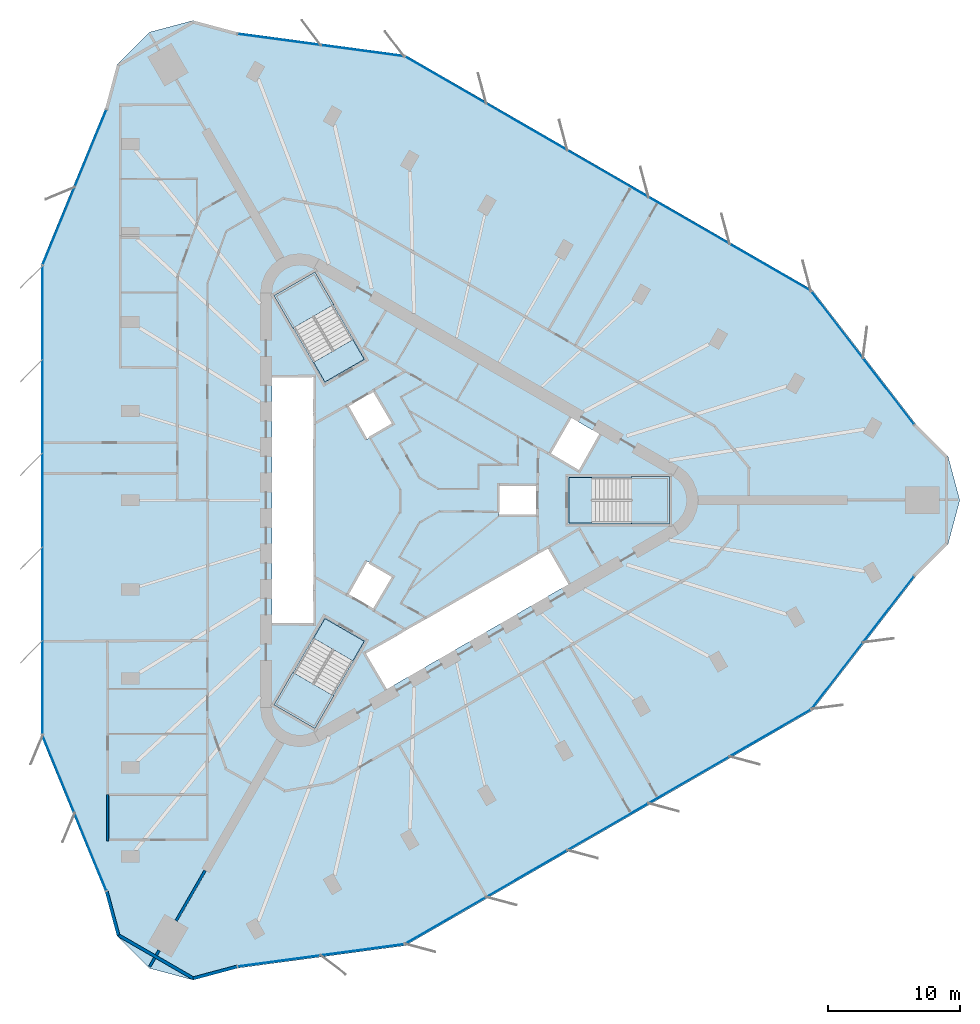
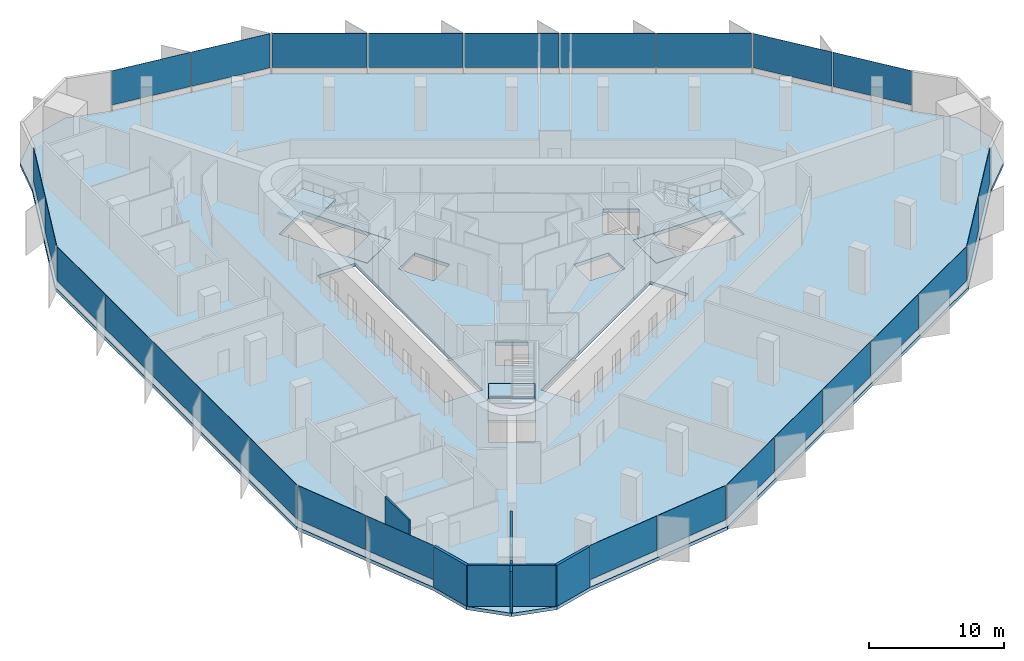
# One storey, part 7 of 14: 27 plates, 7 slabs, 7 walls, 12 elements without a shape of their own.
"""IFC4 building model written with IfcOpenShell, lengths in metres."""

from ifc_helpers import new_model, si_unit, direction, frame, frame_2d, origin, origin_2d, place, context, subcontext, project, spatial, polyline, rectangle, outline, extrude, material, layer, layer_set, type_object, element, aggregate, save


model = new_model("IFC4")

# Units and contexts
model_context = context("Model", 3, precision=1e-05, world=origin(), true_north=direction((0.0, 1.0)))
body_context = subcontext(model_context, "Body", "Model", "MODEL_VIEW")
ifc_project = project(units=[si_unit("LENGTHUNIT", "METRE"), si_unit("AREAUNIT", "SQUARE_METRE"), si_unit("VOLUMEUNIT", "CUBIC_METRE"), si_unit("PLANEANGLEUNIT", "RADIAN"), si_unit("MASSUNIT", "GRAM", prefix="KILO")], contexts=[model_context])

# Site, building, storey
site_placement = place(None, origin())
site = spatial("IfcSite", under=ifc_project, at=site_placement, CompositionType="ELEMENT")
building_placement = place(site_placement, origin())
building = spatial("IfcBuilding", under=site, at=building_placement, Name="Tanit Gate Tower", CompositionType="ELEMENT")
storey_placement = place(building_placement, frame((0.0, 0.0, 233.199951171875)))
storey = spatial("IfcBuildingStorey", under=building, at=storey_placement, Name="L52", CompositionType="ELEMENT", Elevation=233.199951171875)

# Slab
ifc_material_1 = material(Name="Concrete C35/45", Category="concrete")
ifc_layer_1 = layer(ifc_material_1, 0.300048828125)
ifc_layer_set_1 = layer_set([ifc_layer_1], Name="FLOOR SLAB 300 C35/45")
slab_type_1 = type_object("IfcSlabType", Name="FLOOR SLAB 300 C35/45", PredefinedType="FLOOR", material=ifc_layer_set_1)
slab_1_placement = place(storey_placement, frame((0.0, 0.0, -0.300048828125)))
element("IfcSlab", 1, at=slab_1_placement, inside=storey, type_object=slab_type_1, Name="FLOOR SLAB L52", PredefinedType="FLOOR", context=body_context, shape_type="SweptSolid", body=[
    extrude(outline(polyline([(37.72509765625, 5.792724609375), (40.173583984375, 3.344482421875), (41.069580078125, 0.0), (40.173583984375, -3.344482421875), (37.72509765625, -5.792724609375), (29.8583984375, -15.986572265625), (-1.083251953125, -33.853515625), (-13.845947265625, -35.5673828125), (-17.1904296875, -36.46337890625), (-20.534912109375, -35.5673828125), (-22.983154296875, -33.119140625), (-23.879150390625, -29.774658203125), (-28.77392578125, -17.86474609375), (-28.7763671875, 17.86474609375), (-23.879150390625, 29.774658203125), (-22.983154296875, 33.119140625), (-20.534912109375, 35.5673828125), (-17.1904296875, 36.46337890625), (-13.845947265625, 35.5673828125), (-1.08447265625, 33.851318359375), (29.859619140625, 15.988525390625), (37.72509765625, 5.792724609375)]), holes=[polyline([(11.3701171875, 1.72998046875), (18.929931640625, 1.72998046875), (18.929931640625, -1.72998046875), (11.3701171875, -1.72998046875), (11.3701171875, 1.72998046875)]), polyline([(9.82080078125, 3.510009765625), (11.44580078125, 6.324462890625), (13.783935546875, 4.974609375), (12.158935546875, 2.159912109375), (9.82080078125, 3.510009765625)]), polyline([(-4.208984375, -11.60986328125), (9.82080078125, -3.510009765625), (11.44580078125, -6.324462890625), (-2.583984375, -14.424560546875), (-4.208984375, -11.60986328125)]), polyline([(6.0, 1.199951171875), (9.0, 1.199951171875), (9.0, -1.199951171875), (6.0, -1.199951171875), (6.0, 1.199951171875)]), polyline([(-5.539306640625, 7.194091796875), (-3.460693359375, 8.394287109375), (-1.960693359375, 5.796142578125), (-4.039306640625, 4.59619140625), (-5.539306640625, 7.194091796875)]), polyline([(-1.960693359375, -5.796142578125), (-3.460693359375, -8.394287109375), (-5.539306640625, -7.194091796875), (-4.039306640625, -4.59619140625), (-1.960693359375, -5.796142578125)]), polyline([(-10.963134765625, 15.52880859375), (-7.966796875, 17.2587890625), (-4.186767578125, 10.711669921875), (-7.18310546875, 8.981689453125), (-10.963134765625, 15.52880859375)]), polyline([(-4.186767578125, -10.711669921875), (-7.966796875, -17.2587890625), (-10.963134765625, -15.52880859375), (-7.18310546875, -8.981689453125), (-4.186767578125, -10.711669921875)]), polyline([(-11.199951171875, -9.449951171875), (-11.199951171875, 9.449951171875), (-7.949951171875, 9.449951171875), (-7.949951171875, -9.449951171875), (-11.199951171875, -9.449951171875)])]), origin(), (0.0, 0.0, 1.0), 0.300048828125),
])

# Curtain wall, plates
ifc_material_2 = material(Name="Aluminium bronze anodised and glass", Category="aluminium")
curtain_wall_type = type_object("IfcCurtainWallType", Name="Curtain wall typical mid", PredefinedType="NOTDEFINED", material=ifc_material_2)
curtain_wall_1_placement = place(storey_placement, origin())
curtain_wall_1 = element("IfcCurtainWall", 2, at=curtain_wall_1_placement, inside=storey, type_object=curtain_wall_type, Name="Curtain wall L52 NE1", PredefinedType="NOTDEFINED")
ifc_material_3 = material(Name="Glass tinted", Category="glass")
ifc_layer_2 = layer(ifc_material_3, 0.030029296875)
ifc_layer_set_2 = layer_set([ifc_layer_2], Name="Glass panel 30 typical mid")
plate_type = type_object("IfcPlateType", Name="Glass panel 30 typical mid", PredefinedType="CURTAIN_PANEL", material=ifc_layer_set_2)
plate_1_placement = place(storey_placement, frame((35.65869140625, 8.27490234375, 0.60009765625), z_axis=(0.0, 0.0, 1.0), x_axis=(-0.610813286526, 0.791774670599, 0.0)))
plate_1 = element("IfcPlate", 3, at=plate_1_placement, type_object=plate_type, Name="Glass panel L52 NE1.1", PredefinedType="CURTAIN_PANEL", context=body_context, shape_type="SweptSolid", body=[
    extrude(rectangle(XDim=6.310791015625, YDim=0.030029296875, at=origin_2d()), origin(), (0.0, 0.0, 1.0), 3.10009765625),
])
plate_2_placement = place(storey_placement, frame((31.755126953125, 13.3349609375, 0.60009765625), z_axis=(0.0, 0.0, 1.0), x_axis=(-0.610813286526, 0.791774670599, 0.0)))
plate_2 = element("IfcPlate", 4, at=plate_2_placement, type_object=plate_type, Name="Glass panel L52 NE1.2", PredefinedType="CURTAIN_PANEL", context=body_context, shape_type="SweptSolid", body=[
    extrude(rectangle(XDim=6.310791015625, YDim=0.030029296875, at=origin_2d()), origin(), (0.0, 0.0, 1.0), 3.10009765625),
])
aggregate(curtain_wall_1, [plate_1, plate_2])

curtain_wall_2_placement = place(storey_placement, origin())
curtain_wall_2 = element("IfcCurtainWall", 5, at=curtain_wall_2_placement, inside=storey, type_object=curtain_wall_type, Name="Curtain wall L52 NE2", PredefinedType="NOTDEFINED")
plate_3_placement = place(storey_placement, frame((26.6611328125, 17.696533203125, 0.60009765625), z_axis=(0.0, 0.0, 1.0), x_axis=(-0.866060071089, 0.49993994966, 0.0)))
plate_3 = element("IfcPlate", 6, at=plate_3_placement, type_object=plate_type, Name="Glass panel L52 NE2.1", PredefinedType="CURTAIN_PANEL", context=body_context, shape_type="SweptSolid", body=[
    extrude(rectangle(XDim=7.040283203125, YDim=0.030029296875, at=origin_2d()), origin(), (0.0, 0.0, 1.0), 3.10009765625),
])
plate_4_placement = place(storey_placement, frame((20.494384765625, 21.25634765625, 0.60009765625), z_axis=(0.0, 0.0, 1.0), x_axis=(-0.866060071089, 0.49993994966, 0.0)))
plate_4 = element("IfcPlate", 7, at=plate_4_placement, type_object=plate_type, Name="Glass panel L52 NE2.2", PredefinedType="CURTAIN_PANEL", context=body_context, shape_type="SweptSolid", body=[
    extrude(rectangle(XDim=7.04052734375, YDim=0.030029296875, at=origin_2d()), origin(), (0.0, 0.0, 1.0), 3.10009765625),
])
plate_5_placement = place(storey_placement, frame((14.32763671875, 24.816162109375, 0.60009765625), z_axis=(0.0, 0.0, 1.0), x_axis=(-0.866060071089, 0.49993994966, 0.0)))
plate_5 = element("IfcPlate", 8, at=plate_5_placement, type_object=plate_type, Name="Glass panel L52 NE2.3", PredefinedType="CURTAIN_PANEL", context=body_context, shape_type="SweptSolid", body=[
    extrude(rectangle(XDim=7.040283203125, YDim=0.030029296875, at=origin_2d()), origin(), (0.0, 0.0, 1.0), 3.10009765625),
])
plate_6_placement = place(storey_placement, frame((8.160888671875, 28.375732421875, 0.60009765625), z_axis=(0.0, 0.0, 1.0), x_axis=(-0.866060071089, 0.49993994966, 0.0)))
plate_6 = element("IfcPlate", 9, at=plate_6_placement, type_object=plate_type, Name="Glass panel L52 NE2.4", PredefinedType="CURTAIN_PANEL", context=body_context, shape_type="SweptSolid", body=[
    extrude(rectangle(XDim=7.04052734375, YDim=0.030029296875, at=origin_2d()), origin(), (0.0, 0.0, 1.0), 3.10009765625),
])
plate_7_placement = place(storey_placement, frame((1.994140625, 31.935546875, 0.60009765625), z_axis=(0.0, 0.0, 1.0), x_axis=(-0.866060071089, 0.49993994966, 0.0)))
plate_7 = element("IfcPlate", 10, at=plate_7_placement, type_object=plate_type, Name="Glass panel L52 NE2.5", PredefinedType="CURTAIN_PANEL", context=body_context, shape_type="SweptSolid", body=[
    extrude(rectangle(XDim=7.040283203125, YDim=0.030029296875, at=origin_2d()), origin(), (0.0, 0.0, 1.0), 3.10009765625),
])
aggregate(curtain_wall_2, [plate_3, plate_4, plate_5, plate_6, plate_7])

curtain_wall_3_placement = place(storey_placement, origin())
curtain_wall_3 = element("IfcCurtainWall", 11, at=curtain_wall_3_placement, inside=storey, type_object=curtain_wall_type, Name="Curtain wall L52 NE3", PredefinedType="NOTDEFINED")
plate_8_placement = place(storey_placement, frame((-4.330078125, 34.166748046875, 0.60009765625), z_axis=(0.0, 0.0, 1.0), x_axis=(-0.991079923129, 0.133268848466, 0.0)))
plate_8 = element("IfcPlate", 12, at=plate_8_placement, type_object=plate_type, Name="Glass panel L52 NE3.1", PredefinedType="CURTAIN_PANEL", context=body_context, shape_type="SweptSolid", body=[
    extrude(rectangle(XDim=6.310302734375, YDim=0.030029296875, at=origin_2d()), origin(), (0.0, 0.0, 1.0), 3.10009765625),
])
plate_9_placement = place(storey_placement, frame((-10.663330078125, 35.018310546875, 0.60009765625), z_axis=(0.0, 0.0, 1.0), x_axis=(-0.991079923129, 0.133268848466, 0.0)))
plate_9 = element("IfcPlate", 13, at=plate_9_placement, type_object=plate_type, Name="Glass panel L52 NE3.2", PredefinedType="CURTAIN_PANEL", context=body_context, shape_type="SweptSolid", body=[
    extrude(rectangle(XDim=6.310302734375, YDim=0.030029296875, at=origin_2d()), origin(), (0.0, 0.0, 1.0), 3.10009765625),
])
aggregate(curtain_wall_3, [plate_8, plate_9])

curtain_wall_4_placement = place(storey_placement, origin())
curtain_wall_4 = element("IfcCurtainWall", 14, at=curtain_wall_4_placement, inside=storey, type_object=curtain_wall_type, Name="Curtain wall L52 W1", PredefinedType="NOTDEFINED")
plate_10_placement = place(storey_placement, frame((-24.99560546875, 26.743896484375, 0.60009765625), z_axis=(0.0, 0.0, 1.0), x_axis=(-0.380290335549, -0.924867158401, 0.0)))
plate_10 = element("IfcPlate", 15, at=plate_10_placement, type_object=plate_type, Name="Glass panel L52 W1.1", PredefinedType="CURTAIN_PANEL", context=body_context, shape_type="SweptSolid", body=[
    extrude(rectangle(XDim=6.310791015625, YDim=0.030029296875, at=origin_2d()), origin(), (0.0, 0.0, 1.0), 3.10009765625),
])
plate_11_placement = place(storey_placement, frame((-27.426025390625, 20.833251953125, 0.60009765625), z_axis=(0.0, 0.0, 1.0), x_axis=(-0.380290335549, -0.924867158401, 0.0)))
plate_11 = element("IfcPlate", 16, at=plate_11_placement, type_object=plate_type, Name="Glass panel L52 W1.2", PredefinedType="CURTAIN_PANEL", context=body_context, shape_type="SweptSolid", body=[
    extrude(rectangle(XDim=6.310791015625, YDim=0.030029296875, at=origin_2d()), origin(), (0.0, 0.0, 1.0), 3.10009765625),
])
aggregate(curtain_wall_4, [plate_10, plate_11])

curtain_wall_5_placement = place(storey_placement, origin())
curtain_wall_5 = element("IfcCurtainWall", 17, at=curtain_wall_5_placement, inside=storey, type_object=curtain_wall_type, Name="Curtain wall L52 W2", PredefinedType="NOTDEFINED")
plate_12_placement = place(storey_placement, frame((-28.656005859375, 14.240966796875, 0.60009765625), z_axis=(0.0, 0.0, 1.0), x_axis=(6.9338772e-05, -0.999999997596, 0.0)))
plate_12 = element("IfcPlate", 18, at=plate_12_placement, type_object=plate_type, Name="Glass panel L52 W2.1", PredefinedType="CURTAIN_PANEL", context=body_context, shape_type="SweptSolid", body=[
    extrude(rectangle(XDim=7.040283203125, YDim=0.030029296875, at=origin_2d()), origin(), (0.0, 0.0, 1.0), 3.10009765625),
])
plate_13_placement = place(storey_placement, frame((-28.655517578125, 7.120361328125, 0.60009765625), z_axis=(0.0, 0.0, 1.0), x_axis=(6.9338772e-05, -0.999999997596, 0.0)))
plate_13 = element("IfcPlate", 19, at=plate_13_placement, type_object=plate_type, Name="Glass panel L52 W2.2", PredefinedType="CURTAIN_PANEL", context=body_context, shape_type="SweptSolid", body=[
    extrude(rectangle(XDim=7.04052734375, YDim=0.030029296875, at=origin_2d()), origin(), (0.0, 0.0, 1.0), 3.10009765625),
])
plate_14_placement = place(storey_placement, frame((-28.655029296875, 0.0, 0.60009765625), z_axis=(0.0, 0.0, 1.0), x_axis=(6.9338772e-05, -0.999999997596, 0.0)))
plate_14 = element("IfcPlate", 20, at=plate_14_placement, type_object=plate_type, Name="Glass panel L52 W2.3", PredefinedType="CURTAIN_PANEL", context=body_context, shape_type="SweptSolid", body=[
    extrude(rectangle(XDim=7.040283203125, YDim=0.030029296875, at=origin_2d()), origin(), (0.0, 0.0, 1.0), 3.10009765625),
])
plate_15_placement = place(storey_placement, frame((-28.654541015625, -7.120361328125, 0.60009765625), z_axis=(0.0, 0.0, 1.0), x_axis=(6.9338772e-05, -0.999999997596, 0.0)))
plate_15 = element("IfcPlate", 21, at=plate_15_placement, type_object=plate_type, Name="Glass panel L52 W2.4", PredefinedType="CURTAIN_PANEL", context=body_context, shape_type="SweptSolid", body=[
    extrude(rectangle(XDim=7.04052734375, YDim=0.030029296875, at=origin_2d()), origin(), (0.0, 0.0, 1.0), 3.10009765625),
])
plate_16_placement = place(storey_placement, frame((-28.654052734375, -14.240966796875, 0.60009765625), z_axis=(0.0, 0.0, 1.0), x_axis=(6.9338772e-05, -0.999999997596, 0.0)))
plate_16 = element("IfcPlate", 22, at=plate_16_placement, type_object=plate_type, Name="Glass panel L52 W2.5", PredefinedType="CURTAIN_PANEL", context=body_context, shape_type="SweptSolid", body=[
    extrude(rectangle(XDim=7.040283203125, YDim=0.030029296875, at=origin_2d()), origin(), (0.0, 0.0, 1.0), 3.10009765625),
])
aggregate(curtain_wall_5, [plate_12, plate_13, plate_14, plate_15, plate_16])

curtain_wall_6_placement = place(storey_placement, origin())
curtain_wall_6 = element("IfcCurtainWall", 23, at=curtain_wall_6_placement, inside=storey, type_object=curtain_wall_type, Name="Curtain wall L52 W3", PredefinedType="NOTDEFINED")
plate_17_placement = place(storey_placement, frame((-27.424072265625, -20.833251953125, 0.60009765625), z_axis=(0.0, 0.0, 1.0), x_axis=(0.380125753259, -0.924934814843, 0.0)))
plate_17 = element("IfcPlate", 24, at=plate_17_placement, type_object=plate_type, Name="Glass panel L52 W3.1", PredefinedType="CURTAIN_PANEL", context=body_context, shape_type="SweptSolid", body=[
    extrude(rectangle(XDim=6.310302734375, YDim=0.030029296875, at=origin_2d()), origin(), (0.0, 0.0, 1.0), 3.10009765625),
])
plate_18_placement = place(storey_placement, frame((-24.9951171875, -26.743896484375, 0.60009765625), z_axis=(0.0, 0.0, 1.0), x_axis=(0.380125753259, -0.924934814843, 0.0)))
plate_18 = element("IfcPlate", 25, at=plate_18_placement, type_object=plate_type, Name="Glass panel L52 W3.2", PredefinedType="CURTAIN_PANEL", context=body_context, shape_type="SweptSolid", body=[
    extrude(rectangle(XDim=6.310302734375, YDim=0.030029296875, at=origin_2d()), origin(), (0.0, 0.0, 1.0), 3.10009765625),
])
aggregate(curtain_wall_6, [plate_17, plate_18])

curtain_wall_7_placement = place(storey_placement, origin())
curtain_wall_7 = element("IfcCurtainWall", 26, at=curtain_wall_7_placement, inside=storey, type_object=curtain_wall_type, Name="Curtain wall L52 SE1", PredefinedType="NOTDEFINED")
plate_19_placement = place(storey_placement, frame((-10.6630859375, -35.018798828125, 0.60009765625), z_axis=(0.0, 0.0, 1.0), x_axis=(0.991103622075, 0.133092487801, 0.0)))
plate_19 = element("IfcPlate", 27, at=plate_19_placement, type_object=plate_type, Name="Glass panel L52 SE1.1", PredefinedType="CURTAIN_PANEL", context=body_context, shape_type="SweptSolid", body=[
    extrude(rectangle(XDim=6.310791015625, YDim=0.030029296875, at=origin_2d()), origin(), (0.0, 0.0, 1.0), 3.10009765625),
])
plate_20_placement = place(storey_placement, frame((-4.329345703125, -34.168212890625, 0.60009765625), z_axis=(0.0, 0.0, 1.0), x_axis=(0.991103622075, 0.133092487801, 0.0)))
plate_20 = element("IfcPlate", 28, at=plate_20_placement, type_object=plate_type, Name="Glass panel L52 SE1.2", PredefinedType="CURTAIN_PANEL", context=body_context, shape_type="SweptSolid", body=[
    extrude(rectangle(XDim=6.310791015625, YDim=0.030029296875, at=origin_2d()), origin(), (0.0, 0.0, 1.0), 3.10009765625),
])
aggregate(curtain_wall_7, [plate_19, plate_20])

curtain_wall_8_placement = place(storey_placement, origin())
curtain_wall_8 = element("IfcCurtainWall", 29, at=curtain_wall_8_placement, inside=storey, type_object=curtain_wall_type, Name="Curtain wall L52 SE2", PredefinedType="NOTDEFINED")
plate_21_placement = place(storey_placement, frame((1.9951171875, -31.937255859375, 0.60009765625), z_axis=(0.0, 0.0, 1.0), x_axis=(0.865990732317, 0.500060047936, 0.0)))
plate_21 = element("IfcPlate", 30, at=plate_21_placement, type_object=plate_type, Name="Glass panel L52 SE2.1", PredefinedType="CURTAIN_PANEL", context=body_context, shape_type="SweptSolid", body=[
    extrude(rectangle(XDim=7.040283203125, YDim=0.030029296875, at=origin_2d()), origin(), (0.0, 0.0, 1.0), 3.10009765625),
])
plate_22_placement = place(storey_placement, frame((8.161376953125, -28.376708984375, 0.60009765625), z_axis=(0.0, 0.0, 1.0), x_axis=(0.865990732317, 0.500060047936, 0.0)))
plate_22 = element("IfcPlate", 31, at=plate_22_placement, type_object=plate_type, Name="Glass panel L52 SE2.2", PredefinedType="CURTAIN_PANEL", context=body_context, shape_type="SweptSolid", body=[
    extrude(rectangle(XDim=7.04052734375, YDim=0.030029296875, at=origin_2d()), origin(), (0.0, 0.0, 1.0), 3.10009765625),
])
plate_23_placement = place(storey_placement, frame((14.32763671875, -24.816162109375, 0.60009765625), z_axis=(0.0, 0.0, 1.0), x_axis=(0.865990732317, 0.500060047936, 0.0)))
plate_23 = element("IfcPlate", 32, at=plate_23_placement, type_object=plate_type, Name="Glass panel L52 SE2.3", PredefinedType="CURTAIN_PANEL", context=body_context, shape_type="SweptSolid", body=[
    extrude(rectangle(XDim=7.040283203125, YDim=0.030029296875, at=origin_2d()), origin(), (0.0, 0.0, 1.0), 3.10009765625),
])
plate_24_placement = place(storey_placement, frame((20.493896484375, -21.25537109375, 0.60009765625), z_axis=(0.0, 0.0, 1.0), x_axis=(0.865990732317, 0.500060047936, 0.0)))
plate_24 = element("IfcPlate", 33, at=plate_24_placement, type_object=plate_type, Name="Glass panel L52 SE2.4", PredefinedType="CURTAIN_PANEL", context=body_context, shape_type="SweptSolid", body=[
    extrude(rectangle(XDim=7.04052734375, YDim=0.030029296875, at=origin_2d()), origin(), (0.0, 0.0, 1.0), 3.10009765625),
])
plate_25_placement = place(storey_placement, frame((26.66015625, -17.69482421875, 0.60009765625), z_axis=(0.0, 0.0, 1.0), x_axis=(0.865990732317, 0.500060047936, 0.0)))
plate_25 = element("IfcPlate", 34, at=plate_25_placement, type_object=plate_type, Name="Glass panel L52 SE2.5", PredefinedType="CURTAIN_PANEL", context=body_context, shape_type="SweptSolid", body=[
    extrude(rectangle(XDim=7.040283203125, YDim=0.030029296875, at=origin_2d()), origin(), (0.0, 0.0, 1.0), 3.10009765625),
])
aggregate(curtain_wall_8, [plate_21, plate_22, plate_23, plate_24, plate_25])

curtain_wall_9_placement = place(storey_placement, origin())
curtain_wall_9 = element("IfcCurtainWall", 35, at=curtain_wall_9_placement, inside=storey, type_object=curtain_wall_type, Name="Curtain wall L52 SE3", PredefinedType="NOTDEFINED")
plate_26_placement = place(storey_placement, frame((31.75439453125, -13.333251953125, 0.60009765625), z_axis=(0.0, 0.0, 1.0), x_axis=(0.610954169869, 0.791665966377, 0.0)))
plate_26 = element("IfcPlate", 36, at=plate_26_placement, type_object=plate_type, Name="Glass panel L52 SE3.1", PredefinedType="CURTAIN_PANEL", context=body_context, shape_type="SweptSolid", body=[
    extrude(rectangle(XDim=6.310302734375, YDim=0.030029296875, at=origin_2d()), origin(), (0.0, 0.0, 1.0), 3.10009765625),
])
plate_27_placement = place(storey_placement, frame((35.658447265625, -8.2744140625, 0.60009765625), z_axis=(0.0, 0.0, 1.0), x_axis=(0.610954169869, 0.791665966377, 0.0)))
plate_27 = element("IfcPlate", 37, at=plate_27_placement, type_object=plate_type, Name="Glass panel L52 SE3.2", PredefinedType="CURTAIN_PANEL", context=body_context, shape_type="SweptSolid", body=[
    extrude(rectangle(XDim=6.310302734375, YDim=0.030029296875, at=origin_2d()), origin(), (0.0, 0.0, 1.0), 3.10009765625),
])
aggregate(curtain_wall_9, [plate_26, plate_27])

# Stair, slab
ifc_material_4 = material(Name="Concrete C40/50", Category="concrete")
stair_type = type_object("IfcStairType", Name="INT-STAIR-EXIT", PredefinedType="HALF_TURN_STAIR", material=ifc_material_4)
stair_1_placement = place(storey_placement, origin())
stair_1 = element("IfcStair", 38, at=stair_1_placement, inside=storey, type_object=stair_type, Name="L52 STAIR S1", PredefinedType="HALF_TURN_STAIR")
ifc_material_5 = material(Name="Concrete C40/50", Category="concrete")
ifc_layer_3 = layer(ifc_material_5, 0.199951171875)
ifc_layer_set_3 = layer_set([ifc_layer_3], Name="INT-STAIR-LANDING")
slab_type_2 = type_object("IfcSlabType", Name="INT-STAIR-LANDING", PredefinedType="LANDING", material=ifc_layer_set_3)
slab_2_placement = place(storey_placement, frame((0.0, 0.0, 1.800048828125)))
slab_2 = element("IfcSlab", 39, at=slab_2_placement, type_object=slab_type_2, Name="S1 landing 1", PredefinedType="LANDING", context=body_context, shape_type="SweptSolid", body=[
    extrude(outline(polyline([(16.135986328125, -1.800048828125), (19.0, -1.800048828125), (19.0, 1.800048828125), (16.135986328125, 1.800048828125), (16.135986328125, -1.800048828125)])), origin(), (0.0, 0.0, 1.0), 0.199951171875),
])
aggregate(stair_1, [slab_2])

# Slab
slab_3_placement = place(storey_placement, frame((0.0, 0.0, -0.199951171875)))
element("IfcSlab", 40, at=slab_3_placement, inside=storey, type_object=slab_type_2, Name="S1 floor landing", PredefinedType="LANDING", context=body_context, shape_type="SweptSolid", body=[
    extrude(outline(polyline([(11.3798828125, -1.719970703125), (13.10498046875, -1.719970703125), (13.10498046875, 1.719970703125), (11.3798828125, 1.719970703125), (11.3798828125, -1.719970703125)])), origin(), (0.0, 0.0, 1.0), 0.199951171875),
])

# Stair, slab
stair_2_placement = place(storey_placement, origin())
stair_2 = element("IfcStair", 41, at=stair_2_placement, inside=storey, type_object=stair_type, Name="L52 STAIR S2", PredefinedType="HALF_TURN_STAIR")
slab_4_placement = place(storey_placement, frame((0.0, 0.0, 1.800048828125)))
slab_4 = element("IfcSlab", 42, at=slab_4_placement, type_object=slab_type_2, Name="S2 landing 1", PredefinedType="LANDING", context=body_context, shape_type="SweptSolid", body=[
    extrude(outline(polyline([(-6.5078125, 14.871826171875), (-7.941162109375, 17.3544921875), (-11.058837890625, 15.554443359375), (-9.62548828125, 13.07177734375), (-6.5078125, 14.871826171875)])), origin(), (0.0, 0.0, 1.0), 0.199951171875),
])
aggregate(stair_2, [slab_4])

# Slab
slab_5_placement = place(storey_placement, frame((0.0, 0.0, -0.199951171875)))
element("IfcSlab", 43, at=slab_5_placement, inside=storey, type_object=slab_type_2, Name="S2 floor landing", PredefinedType="LANDING", context=body_context, shape_type="SweptSolid", body=[
    extrude(outline(polyline([(-4.200439453125, 10.71533203125), (-5.0625, 12.20849609375), (-8.04150390625, 10.48828125), (-7.179443359375, 8.995361328125), (-4.200439453125, 10.71533203125)])), origin(), (0.0, 0.0, 1.0), 0.199951171875),
])

# Stair, slab
stair_3_placement = place(storey_placement, origin())
stair_3 = element("IfcStair", 44, at=stair_3_placement, inside=storey, type_object=stair_type, Name="L52 STAIR S3", PredefinedType="HALF_TURN_STAIR")
slab_6_placement = place(storey_placement, frame((0.0, 0.0, 1.800048828125)))
slab_6 = element("IfcSlab", 45, at=slab_6_placement, type_object=slab_type_2, Name="S3 landing 1", PredefinedType="LANDING", context=body_context, shape_type="SweptSolid", body=[
    extrude(outline(polyline([(-9.626953125, -13.07421875), (-11.058837890625, -15.554443359375), (-7.941162109375, -17.3544921875), (-6.509033203125, -14.874267578125), (-9.626953125, -13.07421875)])), origin(), (0.0, 0.0, 1.0), 0.199951171875),
])
aggregate(stair_3, [slab_6])

# Slab
slab_7_placement = place(storey_placement, frame((0.0, 0.0, -0.199951171875)))
element("IfcSlab", 46, at=slab_7_placement, inside=storey, type_object=slab_type_2, Name="S3 floor landing", PredefinedType="LANDING", context=body_context, shape_type="SweptSolid", body=[
    extrude(outline(polyline([(-7.179443359375, -8.995361328125), (-8.0419921875, -10.4892578125), (-5.06298828125, -12.209228515625), (-4.200439453125, -10.71533203125), (-7.179443359375, -8.995361328125)])), origin(), (0.0, 0.0, 1.0), 0.199951171875),
])

# Walls
ifc_material_6 = material(Name="Concrete C30/37 with bronze anodised aluminium cladding", Category="concrete")
ifc_layer_4 = layer(ifc_material_6, 0.239990234375)
ifc_layer_set_4 = layer_set([ifc_layer_4], Name="Facade wall bronze clad 240")
wall_type_1 = type_object("IfcWallType", Name="Facade wall bronze clad 240", PredefinedType="SOLIDWALL", material=ifc_layer_set_4)
wall_1_placement = place(storey_placement, frame((-23.765380859375, -29.736083984375, 0.0), z_axis=(0.0, 0.0, 1.0), x_axis=(0.258842571536, -0.965919522093, 0.0)))
element("IfcWall", 47, at=wall_1_placement, inside=storey, type_object=wall_type_1, Name="Bronze-clad facade wall L52 SW.arc1", PredefinedType="SOLIDWALL", context=body_context, shape_type="SweptSolid", body=[
    extrude(rectangle(XDim=3.43798828125, YDim=0.239990234375, at=frame_2d((1.718994140625, 0.0))), origin(), (0.0, 0.0, 1.0), 3.699951171875),
])
wall_2_placement = place(storey_placement, frame((-22.87548828125, -33.056884765625, 0.0), z_axis=(0.0, 0.0, 1.0), x_axis=(0.866012172048, -0.50002291734, 0.0)))
element("IfcWall", 48, at=wall_2_placement, inside=storey, type_object=wall_type_1, Name="Bronze-clad facade wall L52 SW.arc2", PredefinedType="SOLIDWALL", context=body_context, shape_type="SweptSolid", body=[
    extrude(rectangle(XDim=6.564697265625, YDim=0.239990234375, at=frame_2d((3.2822265625, 0.0))), origin(), (0.0, 0.0, 1.0), 3.699951171875),
])
wall_3_placement = place(storey_placement, frame((-17.1904296875, -36.33935546875, 0.0), z_axis=(0.0, 0.0, 1.0), x_axis=(0.965919522093, 0.258842571536, 0.0)))
element("IfcWall", 49, at=wall_3_placement, inside=storey, type_object=wall_type_1, Name="Bronze-clad facade wall L52 SW.arc3", PredefinedType="SOLIDWALL", context=body_context, shape_type="SweptSolid", body=[
    extrude(rectangle(XDim=3.43798828125, YDim=0.239990234375, at=frame_2d((1.718994140625, 0.0))), origin(), (0.0, 0.0, 1.0), 3.699951171875),
])
ifc_material_7 = material(Name="Fire-rated gypsum board partition")
ifc_layer_5 = layer(ifc_material_7, 0.199951171875)
ifc_layer_set_5 = layer_set([ifc_layer_5], Name="INT-WALL-COMPARTMENT")
wall_type_2 = type_object("IfcWallType", Name="INT-WALL-COMPARTMENT", PredefinedType="PARTITIONING", material=ifc_layer_set_5)
wall_4_placement = place(storey_placement, frame((-16.28515625, -28.146484375, 0.0), z_axis=(0.0, 0.0, 1.0), x_axis=(-0.499992938033, -0.866029480975, 0.0)))
element("IfcWall", 50, at=wall_4_placement, inside=storey, type_object=wall_type_2, Name="Wall Compartment W127", PredefinedType="PARTITIONING", context=body_context, shape_type="SweptSolid", body=[
    extrude(rectangle(XDim=4.4013671875, YDim=0.199951171875, at=frame_2d((2.20068359375, 0.0))), origin(), (0.0, 0.0, 1.0), 3.27001953125),
])
wall_5_placement = place(storey_placement, frame((-19.785888671875, -34.2099609375, 0.0), z_axis=(0.0, 0.0, 1.0), x_axis=(-0.50001992892, -0.866013897511, 0.0)))
element("IfcWall", 51, at=wall_5_placement, inside=storey, type_object=wall_type_2, Name="Wall Compartment W126", PredefinedType="PARTITIONING", context=body_context, shape_type="SweptSolid", body=[
    extrude(rectangle(XDim=0.42626953125, YDim=0.199951171875, at=frame_2d((0.213134765625, 0.0))), origin(), (0.0, 0.0, 1.0), 3.699951171875),
])
wall_6_placement = place(storey_placement, frame((-20.118896484375, -34.787109375, 0.0), z_axis=(0.0, 0.0, 1.0), x_axis=(-0.500088105676, -0.865974529972, 0.0)))
element("IfcWall", 52, at=wall_6_placement, inside=storey, type_object=wall_type_2, Name="Wall Compartment W126x1", PredefinedType="PARTITIONING", context=body_context, shape_type="SweptSolid", body=[
    extrude(rectangle(XDim=0.751220703125, YDim=0.199951171875, at=frame_2d((0.37548828125, 0.0))), origin(), (0.0, 0.0, 1.0), 3.699951171875),
])
ifc_material_8 = material(Name="Fire-rated gypsum board partition")
ifc_layer_6 = layer(ifc_material_8, 0.14990234375)
ifc_layer_set_6 = layer_set([ifc_layer_6], Name="INT-WALL-RISER")
wall_type_3 = type_object("IfcWallType", Name="INT-WALL-RISER", PredefinedType="PLUMBINGWALL", material=ifc_layer_set_6)
wall_7_placement = place(storey_placement, frame((-23.68994140625, -25.89501953125, 0.0), z_axis=(0.0, 0.0, 1.0), x_axis=(0.0, 1.0, 0.0)))
element("IfcWall", 53, at=wall_7_placement, inside=storey, type_object=wall_type_3, Name="Wall Riser W133", PredefinedType="PLUMBINGWALL", context=body_context, shape_type="SweptSolid", body=[
    extrude(rectangle(XDim=3.52197265625, YDim=0.14990234375, at=frame_2d((1.760986328125, 0.0))), origin(), (0.0, 0.0, 1.0), 3.699951171875),
])

save(model, "model.ifc")
